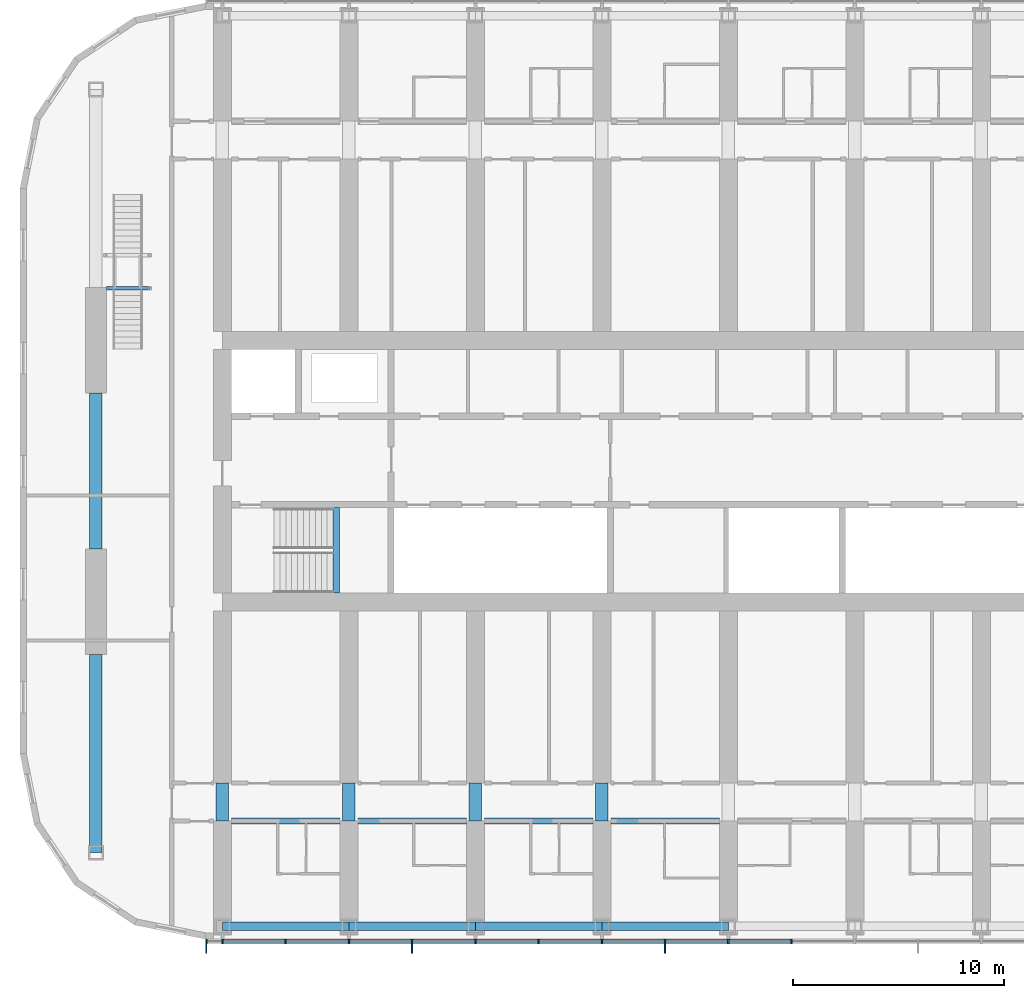
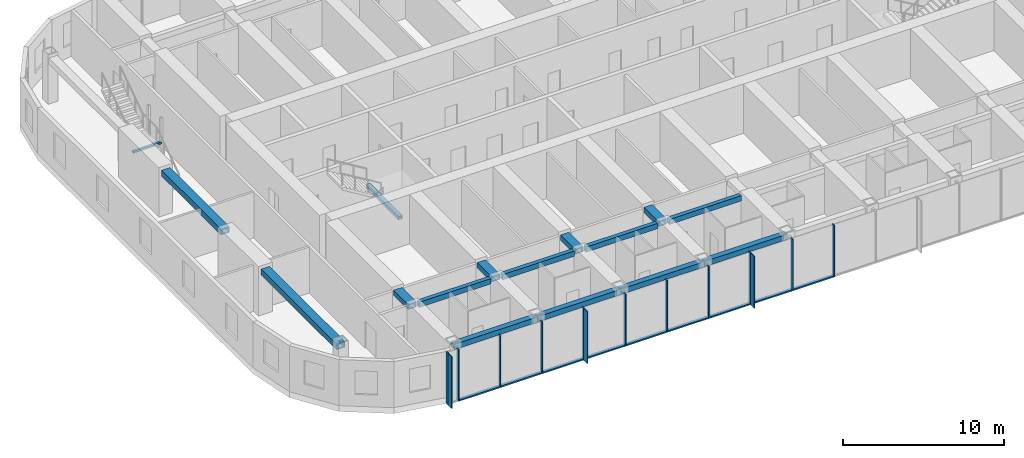
# One storey, part 6 of 29: 23 members, 16 beams, 1 element without a shape of its own.
"""IFC4 building model written with IfcOpenShell, lengths in metres."""

from ifc_helpers import new_model, si_unit, direction, frame, origin, origin_2d, place, context, subcontext, project, spatial, rectangle, hollow_rectangle, extrude, material, material_profile, profile_set, type_object, element, aggregate, save


model = new_model("IFC4")

# Units and contexts
model_context = context("Model", 3, precision=1e-05, world=origin(), true_north=direction((0.0, 1.0)))
body_context = subcontext(model_context, "Body", "Model", "MODEL_VIEW")
ifc_project = project(units=[si_unit("LENGTHUNIT", "METRE"), si_unit("AREAUNIT", "SQUARE_METRE"), si_unit("VOLUMEUNIT", "CUBIC_METRE"), si_unit("PLANEANGLEUNIT", "RADIAN"), si_unit("MASSUNIT", "GRAM", prefix="KILO")], contexts=[model_context])

# Site, building, storey
site_placement = place(None, origin())
site = spatial("IfcSite", under=ifc_project, at=site_placement, CompositionType="ELEMENT")
building_placement = place(site_placement, origin())
building = spatial("IfcBuilding", under=site, at=building_placement, Name="Orbita Commons", CompositionType="ELEMENT")
storey_placement = place(building_placement, frame((0.0, 0.0, 163.60009765625)))
storey = spatial("IfcBuildingStorey", under=building, at=storey_placement, Name="L40", CompositionType="ELEMENT", Elevation=163.60009765625)

# Curtain wall, members
ifc_material_1 = material(Name="Anodised aluminium frame, pale silver", Category="aluminium")
curtain_wall_type = type_object("IfcCurtainWallType", Name="Unitised curtain wall CW-U, full-height vision", PredefinedType="NOTDEFINED", material=ifc_material_1)
curtain_wall_placement = place(storey_placement, origin())
curtain_wall = element("IfcCurtainWall", 1, at=curtain_wall_placement, inside=storey, type_object=curtain_wall_type, Name="Curtain wall south L40", PredefinedType="NOTDEFINED")
ifc_material_2 = material(Name="Anodised aluminium, pale silver", Category="aluminium")
ifc_material_profile_1 = material_profile(ifc_material_2, rectangle(XDim=0.080078125, YDim=0.219970703125, at=origin_2d()), Name="AL 80x220")
ifc_profile_set_1 = profile_set([ifc_material_profile_1], Name="Anodised aluminium, pale silver")
member_type_1 = type_object("IfcMemberType", Name="Curtain wall mullion 80x220", PredefinedType="MULLION", material=ifc_profile_set_1)
member_1_placement = place(storey_placement, frame((17.239990234375, 9.68994140625, -0.4501953125), z_axis=(0.0, 0.0, 1.0), x_axis=(1.0, 0.0, 0.0)))
member_1 = element("IfcMember", 2, at=member_1_placement, type_object=member_type_1, Name="Mullion 1 CW-L40-S", PredefinedType="MULLION", context=body_context, shape_type="SweptSolid", body=[
    extrude(rectangle(XDim=0.080078125, YDim=0.219970703125, at=origin_2d()), origin(), (0.0, 0.0, 1.0), 3.9501953125),
])
member_2_placement = place(storey_placement, frame((18.0, 9.68994140625, -0.4501953125), z_axis=(0.0, 0.0, 1.0), x_axis=(1.0, 0.0, 0.0)))
member_2 = element("IfcMember", 3, at=member_2_placement, type_object=member_type_1, Name="Mullion 2 CW-L40-S", PredefinedType="MULLION", context=body_context, shape_type="SweptSolid", body=[
    extrude(rectangle(XDim=0.080078125, YDim=0.219970703125, at=origin_2d()), origin(), (0.0, 0.0, 1.0), 3.9501953125),
])
member_3_placement = place(storey_placement, frame((21.0, 9.68994140625, -0.4501953125), z_axis=(0.0, 0.0, 1.0), x_axis=(1.0, 0.0, 0.0)))
member_3 = element("IfcMember", 4, at=member_3_placement, type_object=member_type_1, Name="Mullion 3 CW-L40-S", PredefinedType="MULLION", context=body_context, shape_type="SweptSolid", body=[
    extrude(rectangle(XDim=0.080078125, YDim=0.219970703125, at=origin_2d()), origin(), (0.0, 0.0, 1.0), 3.9501953125),
])
member_4_placement = place(storey_placement, frame((24.0, 9.68994140625, -0.4501953125), z_axis=(0.0, 0.0, 1.0), x_axis=(1.0, 0.0, 0.0)))
member_4 = element("IfcMember", 5, at=member_4_placement, type_object=member_type_1, Name="Mullion 4 CW-L40-S", PredefinedType="MULLION", context=body_context, shape_type="SweptSolid", body=[
    extrude(rectangle(XDim=0.080078125, YDim=0.219970703125, at=origin_2d()), origin(), (0.0, 0.0, 1.0), 3.9501953125),
])
member_5_placement = place(storey_placement, frame((27.0, 9.68994140625, -0.4501953125), z_axis=(0.0, 0.0, 1.0), x_axis=(1.0, 0.0, 0.0)))
member_5 = element("IfcMember", 6, at=member_5_placement, type_object=member_type_1, Name="Mullion 5 CW-L40-S", PredefinedType="MULLION", context=body_context, shape_type="SweptSolid", body=[
    extrude(rectangle(XDim=0.080078125, YDim=0.219970703125, at=origin_2d()), origin(), (0.0, 0.0, 1.0), 3.9501953125),
])
member_6_placement = place(storey_placement, frame((30.0, 9.68994140625, -0.4501953125), z_axis=(0.0, 0.0, 1.0), x_axis=(1.0, 0.0, 0.0)))
member_6 = element("IfcMember", 7, at=member_6_placement, type_object=member_type_1, Name="Mullion 6 CW-L40-S", PredefinedType="MULLION", context=body_context, shape_type="SweptSolid", body=[
    extrude(rectangle(XDim=0.080078125, YDim=0.219970703125, at=origin_2d()), origin(), (0.0, 0.0, 1.0), 3.9501953125),
])
member_7_placement = place(storey_placement, frame((33.0, 9.68994140625, -0.4501953125), z_axis=(0.0, 0.0, 1.0), x_axis=(1.0, 0.0, 0.0)))
member_7 = element("IfcMember", 8, at=member_7_placement, type_object=member_type_1, Name="Mullion 7 CW-L40-S", PredefinedType="MULLION", context=body_context, shape_type="SweptSolid", body=[
    extrude(rectangle(XDim=0.080078125, YDim=0.219970703125, at=origin_2d()), origin(), (0.0, 0.0, 1.0), 3.9501953125),
])
member_8_placement = place(storey_placement, frame((36.0, 9.68994140625, -0.4501953125), z_axis=(0.0, 0.0, 1.0), x_axis=(1.0, 0.0, 0.0)))
member_8 = element("IfcMember", 9, at=member_8_placement, type_object=member_type_1, Name="Mullion 8 CW-L40-S", PredefinedType="MULLION", context=body_context, shape_type="SweptSolid", body=[
    extrude(rectangle(XDim=0.080078125, YDim=0.219970703125, at=origin_2d()), origin(), (0.0, 0.0, 1.0), 3.9501953125),
])
member_9_placement = place(storey_placement, frame((39.0, 9.68994140625, -0.4501953125), z_axis=(0.0, 0.0, 1.0), x_axis=(1.0, 0.0, 0.0)))
member_9 = element("IfcMember", 10, at=member_9_placement, type_object=member_type_1, Name="Mullion 9 CW-L40-S", PredefinedType="MULLION", context=body_context, shape_type="SweptSolid", body=[
    extrude(rectangle(XDim=0.080078125, YDim=0.219970703125, at=origin_2d()), origin(), (0.0, 0.0, 1.0), 3.9501953125),
])
member_10_placement = place(storey_placement, frame((42.0, 9.68994140625, -0.4501953125), z_axis=(0.0, 0.0, 1.0), x_axis=(1.0, 0.0, 0.0)))
member_10 = element("IfcMember", 11, at=member_10_placement, type_object=member_type_1, Name="Mullion 10 CW-L40-S", PredefinedType="MULLION", context=body_context, shape_type="SweptSolid", body=[
    extrude(rectangle(XDim=0.080078125, YDim=0.219970703125, at=origin_2d()), origin(), (0.0, 0.0, 1.0), 3.9501953125),
])
member_11_placement = place(storey_placement, frame((45.0, 9.68994140625, -0.4501953125), z_axis=(0.0, 0.0, 1.0), x_axis=(1.0, 0.0, 0.0)))
member_11 = element("IfcMember", 12, at=member_11_placement, type_object=member_type_1, Name="Mullion 11 CW-L40-S", PredefinedType="MULLION", context=body_context, shape_type="SweptSolid", body=[
    extrude(rectangle(XDim=0.080078125, YDim=0.219970703125, at=origin_2d()), origin(), (0.0, 0.0, 1.0), 3.9501953125),
])
ifc_material_3 = material(Name="Anodised aluminium, pale silver", Category="aluminium")
ifc_material_profile_2 = material_profile(ifc_material_3, rectangle(XDim=0.219970703125, YDim=0.10009765625, at=origin_2d()), Name="AL 220x100")
ifc_profile_set_2 = profile_set([ifc_material_profile_2], Name="Anodised aluminium, pale silver")
member_type_2 = type_object("IfcMemberType", Name="Curtain wall stack transom 220x100", PredefinedType="USERDEFINED", material=ifc_profile_set_2)
member_12_placement = place(storey_placement, frame((18.0400390625, 9.68994140625, -0.400146484375), z_axis=(1.0, 0.0, 0.0), x_axis=(0.0, 1.0, 0.0)))
member_12 = element("IfcMember", 13, at=member_12_placement, type_object=member_type_2, Name="Transom 2.1 CW-L40-S", ObjectType="TRANSOM", PredefinedType="USERDEFINED", context=body_context, shape_type="SweptSolid", body=[
    extrude(rectangle(XDim=0.219970703125, YDim=0.10009765625, at=origin_2d()), origin(), (0.0, 0.0, 1.0), 2.919921875),
])
member_13_placement = place(storey_placement, frame((21.0400390625, 9.68994140625, -0.400146484375), z_axis=(1.0, 0.0, 0.0), x_axis=(0.0, 1.0, 0.0)))
member_13 = element("IfcMember", 14, at=member_13_placement, type_object=member_type_2, Name="Transom 3.1 CW-L40-S", ObjectType="TRANSOM", PredefinedType="USERDEFINED", context=body_context, shape_type="SweptSolid", body=[
    extrude(rectangle(XDim=0.219970703125, YDim=0.10009765625, at=origin_2d()), origin(), (0.0, 0.0, 1.0), 2.919921875),
])
member_14_placement = place(storey_placement, frame((24.0400390625, 9.68994140625, -0.400146484375), z_axis=(1.0, 0.0, 0.0), x_axis=(0.0, 1.0, 0.0)))
member_14 = element("IfcMember", 15, at=member_14_placement, type_object=member_type_2, Name="Transom 4.1 CW-L40-S", ObjectType="TRANSOM", PredefinedType="USERDEFINED", context=body_context, shape_type="SweptSolid", body=[
    extrude(rectangle(XDim=0.219970703125, YDim=0.10009765625, at=origin_2d()), origin(), (0.0, 0.0, 1.0), 2.919921875),
])
member_15_placement = place(storey_placement, frame((27.0400390625, 9.68994140625, -0.400146484375), z_axis=(1.0, 0.0, 0.0), x_axis=(0.0, 1.0, 0.0)))
member_15 = element("IfcMember", 16, at=member_15_placement, type_object=member_type_2, Name="Transom 5.1 CW-L40-S", ObjectType="TRANSOM", PredefinedType="USERDEFINED", context=body_context, shape_type="SweptSolid", body=[
    extrude(rectangle(XDim=0.219970703125, YDim=0.10009765625, at=origin_2d()), origin(), (0.0, 0.0, 1.0), 2.919921875),
])
member_16_placement = place(storey_placement, frame((30.0400390625, 9.68994140625, -0.400146484375), z_axis=(1.0, 0.0, 0.0), x_axis=(0.0, 1.0, 0.0)))
member_16 = element("IfcMember", 17, at=member_16_placement, type_object=member_type_2, Name="Transom 6.1 CW-L40-S", ObjectType="TRANSOM", PredefinedType="USERDEFINED", context=body_context, shape_type="SweptSolid", body=[
    extrude(rectangle(XDim=0.219970703125, YDim=0.10009765625, at=origin_2d()), origin(), (0.0, 0.0, 1.0), 2.919921875),
])
member_17_placement = place(storey_placement, frame((33.0400390625, 9.68994140625, -0.400146484375), z_axis=(1.0, 0.0, 0.0), x_axis=(0.0, 1.0, 0.0)))
member_17 = element("IfcMember", 18, at=member_17_placement, type_object=member_type_2, Name="Transom 7.1 CW-L40-S", ObjectType="TRANSOM", PredefinedType="USERDEFINED", context=body_context, shape_type="SweptSolid", body=[
    extrude(rectangle(XDim=0.219970703125, YDim=0.10009765625, at=origin_2d()), origin(), (0.0, 0.0, 1.0), 2.919921875),
])
member_18_placement = place(storey_placement, frame((36.0400390625, 9.68994140625, -0.400146484375), z_axis=(1.0, 0.0, 0.0), x_axis=(0.0, 1.0, 0.0)))
member_18 = element("IfcMember", 19, at=member_18_placement, type_object=member_type_2, Name="Transom 8.1 CW-L40-S", ObjectType="TRANSOM", PredefinedType="USERDEFINED", context=body_context, shape_type="SweptSolid", body=[
    extrude(rectangle(XDim=0.219970703125, YDim=0.10009765625, at=origin_2d()), origin(), (0.0, 0.0, 1.0), 2.919921875),
])
member_19_placement = place(storey_placement, frame((39.0400390625, 9.68994140625, -0.400146484375), z_axis=(1.0, 0.0, 0.0), x_axis=(0.0, 1.0, 0.0)))
member_19 = element("IfcMember", 20, at=member_19_placement, type_object=member_type_2, Name="Transom 9.1 CW-L40-S", ObjectType="TRANSOM", PredefinedType="USERDEFINED", context=body_context, shape_type="SweptSolid", body=[
    extrude(rectangle(XDim=0.219970703125, YDim=0.10009765625, at=origin_2d()), origin(), (0.0, 0.0, 1.0), 2.919921875),
])
member_20_placement = place(storey_placement, frame((42.0400390625, 9.68994140625, -0.400146484375), z_axis=(1.0, 0.0, 0.0), x_axis=(0.0, 1.0, 0.0)))
member_20 = element("IfcMember", 21, at=member_20_placement, type_object=member_type_2, Name="Transom 10.1 CW-L40-S", ObjectType="TRANSOM", PredefinedType="USERDEFINED", context=body_context, shape_type="SweptSolid", body=[
    extrude(rectangle(XDim=0.219970703125, YDim=0.10009765625, at=origin_2d()), origin(), (0.0, 0.0, 1.0), 2.919921875),
])

# Beams
ifc_material_4 = material(Name="Steel ASTM A992", Category="steel")
ifc_material_profile_3 = material_profile(ifc_material_4, hollow_rectangle(XDim=0.14990234375, YDim=0.14990234375, WallThickness=0.008056640625, at=origin_2d()), Name="SHS 150x150x8")
ifc_profile_set_3 = profile_set([ifc_material_profile_3], Name="Steel ASTM A992")
beam_type_1 = type_object("IfcBeamType", Name="Landing frame beam SHS 150x150x8", PredefinedType="BEAM", material=ifc_profile_set_3)
beam_1_placement = place(storey_placement, frame((12.5, 40.675048828125, 1.599853515625), z_axis=(1.0, 0.0, 0.0), x_axis=(0.0, 1.0, 0.0)))
element("IfcBeam", 22, at=beam_1_placement, inside=storey, type_object=beam_type_1, Name="Neighbourhood stair L40 to L41 landing frame beam 1", PredefinedType="BEAM", context=body_context, shape_type="SweptSolid", body=[
    extrude(hollow_rectangle(XDim=0.14990234375, YDim=0.14990234375, WallThickness=0.008056640625, at=origin_2d()), origin(), (0.0, 0.0, 1.0), 2.050048828125),
])
ifc_material_5 = material(Name="Steel ASTM A572 Gr 50 welded plate", Category="steel")
ifc_material_profile_4 = material_profile(ifc_material_5, hollow_rectangle(XDim=0.300048828125, YDim=0.25, WallThickness=0.02490234375, at=origin_2d()), Name="BOX 250x300x25")
ifc_profile_set_4 = profile_set([ifc_material_profile_4], Name="Steel ASTM A572 Gr 50 welded plate")
beam_type_2 = type_object("IfcBeamType", Name="Stair landing beam steel BOX 250x300x25", PredefinedType="BEAM", material=ifc_profile_set_4)
beam_2_placement = place(storey_placement, frame((23.39990234375, 26.2099609375, 1.5498046875), z_axis=(0.0, 1.0, 0.0), x_axis=(-1.0, 0.0, 0.0)))
element("IfcBeam", 23, at=beam_2_placement, inside=storey, type_object=beam_type_2, Name="Stair S1 landing beam L40 1", PredefinedType="BEAM", context=body_context, shape_type="SweptSolid", body=[
    extrude(hollow_rectangle(XDim=0.300048828125, YDim=0.25, WallThickness=0.02490234375, at=origin_2d()), origin(), (0.0, 0.0, 1.0), 4.054931640625),
])
ifc_material_6 = material(Name="Steel ASTM A572 Gr 50 welded plate", Category="steel")
ifc_material_profile_5 = material_profile(ifc_material_6, hollow_rectangle(XDim=0.300048828125, YDim=0.39990234375, WallThickness=0.0400390625, at=origin_2d()), Name="BOX 400x300x40")
ifc_profile_set_5 = profile_set([ifc_material_profile_5], Name="Steel ASTM A572 Gr 50 welded plate")
beam_type_3 = type_object("IfcBeamType", Name="Steel corridor link BOX 400x300x40", PredefinedType="BEAM", material=ifc_profile_set_5)
for number, where, z_axis, x_axis, name in (
    (24, (18.425048828125, 15.39990234375, 3.2998046875), (1.0, 0.0, 0.0), (0.0, 1.0, 0.0), "Corridor beam SA 4-5 L40"),
    (25, (24.425048828125, 15.39990234375, 3.2998046875), (1.0, 0.0, 0.0), (0.0, 1.0, 0.0), "Corridor beam SA 5-6 L40"),
    (26, (30.425048828125, 15.39990234375, 3.2998046875), (1.0, 0.0, 0.0), (0.0, 1.0, 0.0), "Corridor beam SA 6-7 L40"),
    (27, (36.425048828125, 15.39990234375, 3.2998046875), (1.0, 0.0, 0.0), (0.0, 1.0, 0.0), "Corridor beam SA 7-8 L40"),
):
    element("IfcBeam", number, at=place(storey_placement, frame(where, z_axis=z_axis, x_axis=x_axis)), inside=storey, type_object=beam_type_3, Name=name, PredefinedType="BEAM", context=body_context, shape_type="SweptSolid", body=[
        extrude(hollow_rectangle(XDim=0.300048828125, YDim=0.39990234375, WallThickness=0.0400390625, at=origin_2d()), origin(), (0.0, 0.0, 1.0), 5.14990234375),
    ])
ifc_material_7 = material(Name="Steel ASTM A572 Gr 50 welded plate", Category="steel")
ifc_material_profile_6 = material_profile(ifc_material_7, hollow_rectangle(XDim=0.60009765625, YDim=0.39990234375, WallThickness=0.050048828125, at=origin_2d()), Name="BOX 400x600x50")
ifc_profile_set_6 = profile_set([ifc_material_profile_6], Name="Steel ASTM A572 Gr 50 welded plate")
beam_type_4 = type_object("IfcBeamType", Name="Steel coupling link BOX 400x600x50", PredefinedType="LINTEL", material=ifc_profile_set_6)
for number, where, z_axis, x_axis, name in (
    (28, (18.0, 15.39990234375, 3.2998046875), (0.0, 1.0, 0.0), (-1.0, 0.0, 0.0), "Coupling beam 4 south L40"),
    (29, (24.0, 15.39990234375, 3.2998046875), (0.0, 1.0, 0.0), (-1.0, 0.0, 0.0), "Coupling beam 5 south L40"),
    (30, (30.0, 15.39990234375, 3.2998046875), (0.0, 1.0, 0.0), (-1.0, 0.0, 0.0), "Coupling beam 6 south L40"),
    (31, (36.0, 15.39990234375, 3.2998046875), (0.0, 1.0, 0.0), (-1.0, 0.0, 0.0), "Coupling beam 7 south L40"),
):
    element("IfcBeam", number, at=place(storey_placement, frame(where, z_axis=z_axis, x_axis=x_axis)), inside=storey, type_object=beam_type_4, Name=name, PredefinedType="LINTEL", context=body_context, shape_type="SweptSolid", body=[
        extrude(hollow_rectangle(XDim=0.60009765625, YDim=0.39990234375, WallThickness=0.050048828125, at=origin_2d()), origin(), (0.0, 0.0, 1.0), 1.800048828125),
    ])
ifc_material_8 = material(Name="Steel ASTM A572 Gr 50 welded plate", Category="steel")
ifc_material_profile_7 = material_profile(ifc_material_8, hollow_rectangle(XDim=0.60009765625, YDim=0.449951171875, WallThickness=0.06005859375, at=origin_2d()), Name="BOX 450x600x60")
ifc_profile_set_7 = profile_set([ifc_material_profile_7], Name="Steel ASTM A572 Gr 50 welded plate")
beam_type_5 = type_object("IfcBeamType", Name="Steel end frame link BOX 450x600x60", PredefinedType="BEAM", material=ifc_profile_set_7)
beam_3_placement = place(storey_placement, frame((12.0, 13.89990234375, 3.27490234375), z_axis=(0.0, 1.0, 0.0), x_axis=(-1.0, 0.0, 0.0)))
element("IfcBeam", 32, at=beam_3_placement, inside=storey, type_object=beam_type_5, Name="End frame beam 3 B-C L40", PredefinedType="BEAM", context=body_context, shape_type="SweptSolid", body=[
    extrude(hollow_rectangle(XDim=0.60009765625, YDim=0.449951171875, WallThickness=0.06005859375, at=origin_2d()), origin(), (0.0, 0.0, 1.0), 9.400146484375),
])
beam_4_placement = place(storey_placement, frame((12.0, 28.300048828125, 3.27490234375), z_axis=(0.0, 1.0, 0.0), x_axis=(-1.0, 0.0, 0.0)))
element("IfcBeam", 33, at=beam_4_placement, inside=storey, type_object=beam_type_5, Name="End frame beam 3 C-D L40", PredefinedType="BEAM", context=body_context, shape_type="SweptSolid", body=[
    extrude(hollow_rectangle(XDim=0.60009765625, YDim=0.449951171875, WallThickness=0.06005859375, at=origin_2d()), origin(), (0.0, 0.0, 1.0), 7.39990234375),
])
ifc_material_9 = material(Name="Steel ASTM A572 Gr 50 welded plate", Category="steel")
ifc_material_profile_8 = material_profile(ifc_material_9, hollow_rectangle(XDim=0.39990234375, YDim=0.39990234375, WallThickness=0.0400390625, at=origin_2d()), Name="BOX 400x400x40")
ifc_profile_set_8 = profile_set([ifc_material_profile_8], Name="Steel ASTM A572 Gr 50 welded plate")
beam_type_6 = type_object("IfcBeamType", Name="Steel spandrel BOX 400x400x40", PredefinedType="SPANDREL", material=ifc_profile_set_8)
for number, where, z_axis, x_axis, name in (
    (34, (18.0, 10.39990234375, 3.2998046875), (1.0, 0.0, 0.0), (0.0, 1.0, 0.0), "Spandrel beam B 4-5 L40"),
    (35, (24.0, 10.39990234375, 3.2998046875), (1.0, 0.0, 0.0), (0.0, 1.0, 0.0), "Spandrel beam B 5-6 L40"),
    (36, (30.0, 10.39990234375, 3.2998046875), (1.0, 0.0, 0.0), (0.0, 1.0, 0.0), "Spandrel beam B 6-7 L40"),
    (37, (36.0, 10.39990234375, 3.2998046875), (1.0, 0.0, 0.0), (0.0, 1.0, 0.0), "Spandrel beam B 7-8 L40"),
):
    element("IfcBeam", number, at=place(storey_placement, frame(where, z_axis=z_axis, x_axis=x_axis)), inside=storey, type_object=beam_type_6, Name=name, PredefinedType="SPANDREL", context=body_context, shape_type="SweptSolid", body=[
        extrude(hollow_rectangle(XDim=0.39990234375, YDim=0.39990234375, WallThickness=0.0400390625, at=origin_2d()), origin(), (0.0, 0.0, 1.0), 6.0),
    ])

# Member
ifc_material_10 = material(Name="Anodised aluminium, pale silver", Category="aluminium")
ifc_material_profile_9 = material_profile(ifc_material_10, rectangle(XDim=0.06005859375, YDim=0.449951171875, at=origin_2d()), Name="FIN 60x450")
ifc_profile_set_9 = profile_set([ifc_material_profile_9], Name="Anodised aluminium, pale silver")
member_type_3 = type_object("IfcMemberType", Name="Vertical fin 60x450 pale aluminium", PredefinedType="USERDEFINED", material=ifc_profile_set_9)
member_21_placement = place(storey_placement, frame((17.239990234375, 9.35498046875, -0.4501953125), z_axis=(0.0, 0.0, 1.0), x_axis=(1.0, 0.0, 0.0)))
member_21 = element("IfcMember", 38, at=member_21_placement, type_object=member_type_3, Name="Fin 1 CW-L40-S", ObjectType="FIN", PredefinedType="USERDEFINED", context=body_context, shape_type="SweptSolid", body=[
    extrude(rectangle(XDim=0.06005859375, YDim=0.449951171875, at=origin_2d()), origin(), (0.0, 0.0, 1.0), 3.9501953125),
])

member_22_placement = place(storey_placement, frame((27.0, 9.35498046875, -0.4501953125), z_axis=(0.0, 0.0, 1.0), x_axis=(1.0, 0.0, 0.0)))
member_22 = element("IfcMember", 39, at=member_22_placement, type_object=member_type_3, Name="Fin 5 CW-L40-S", ObjectType="FIN", PredefinedType="USERDEFINED", context=body_context, shape_type="SweptSolid", body=[
    extrude(rectangle(XDim=0.06005859375, YDim=0.449951171875, at=origin_2d()), origin(), (0.0, 0.0, 1.0), 3.9501953125),
])

member_23_placement = place(storey_placement, frame((39.0, 9.35498046875, -0.4501953125), z_axis=(0.0, 0.0, 1.0), x_axis=(1.0, 0.0, 0.0)))
member_23 = element("IfcMember", 40, at=member_23_placement, type_object=member_type_3, Name="Fin 9 CW-L40-S", ObjectType="FIN", PredefinedType="USERDEFINED", context=body_context, shape_type="SweptSolid", body=[
    extrude(rectangle(XDim=0.06005859375, YDim=0.449951171875, at=origin_2d()), origin(), (0.0, 0.0, 1.0), 3.9501953125),
])

aggregate(curtain_wall, [member_1, member_21, member_2, member_3, member_4, member_5, member_22, member_6, member_7, member_8, member_9, member_23, member_10, member_11, member_12, member_13, member_14, member_15, member_16, member_17, member_18, member_19, member_20])

save(model, "model.ifc")
